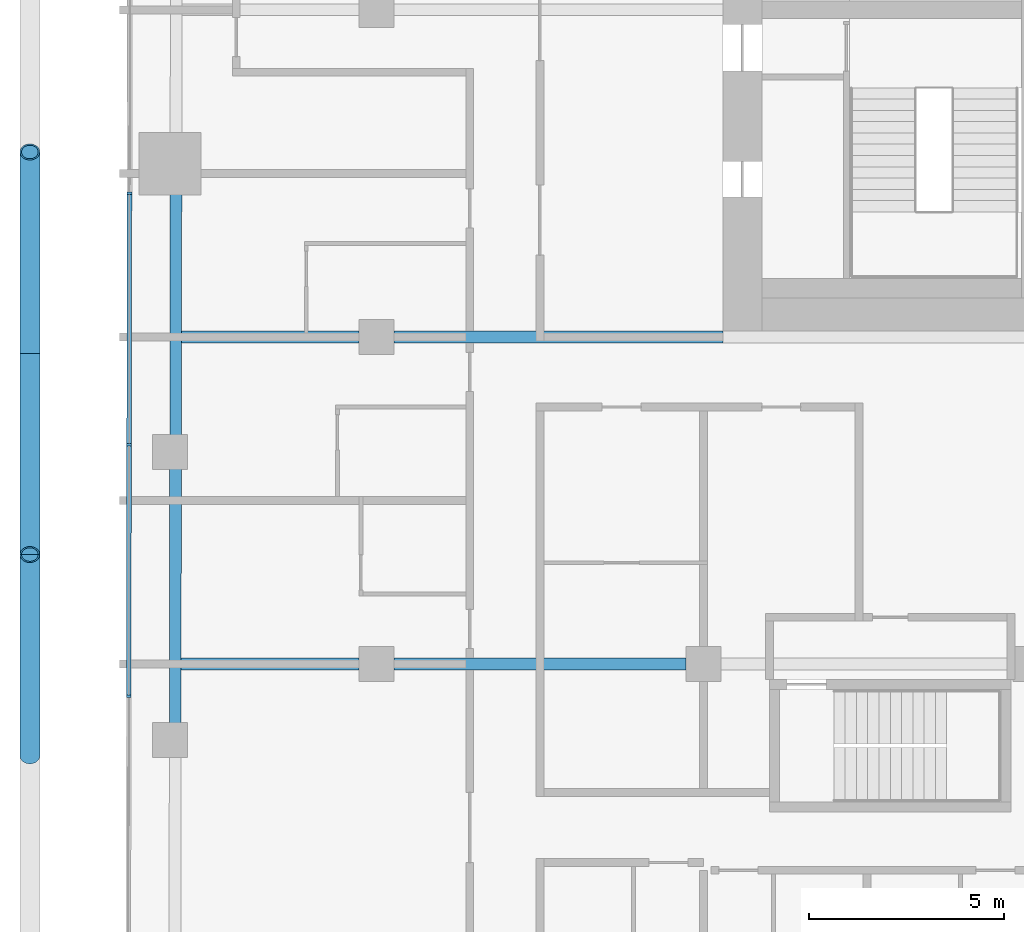
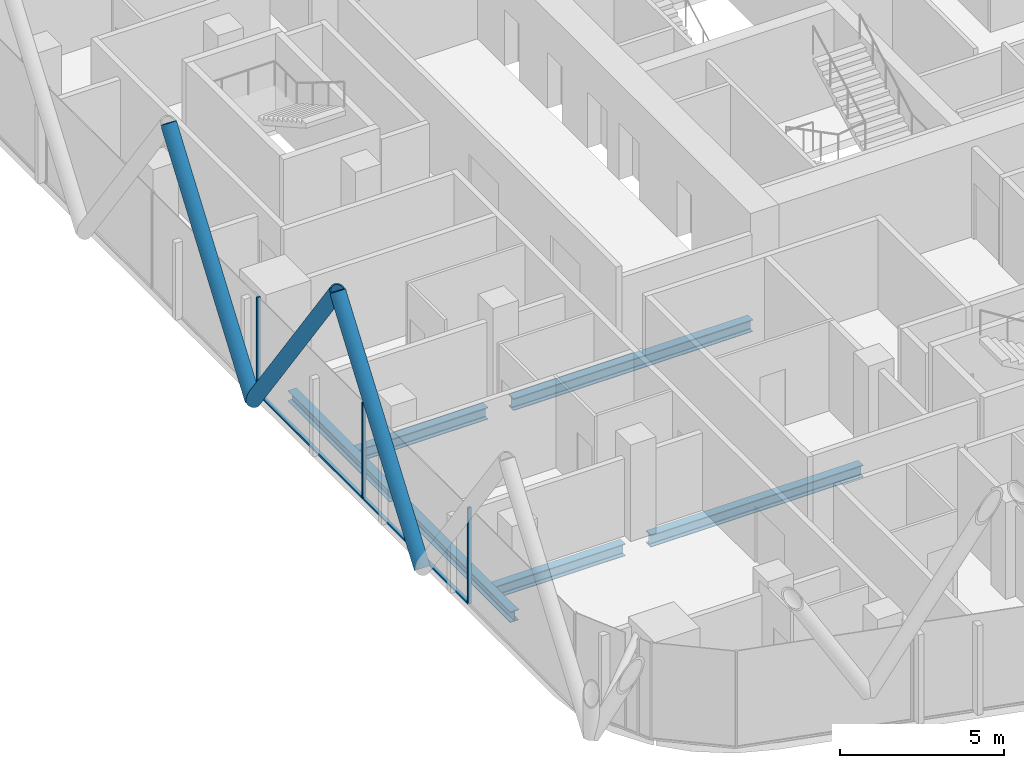
# One storey, part 4 of 33: 8 members, 6 beams, 1 element without a shape of its own.
"""IFC4 building model written with IfcOpenShell, lengths in metres."""

from ifc_helpers import new_model, si_unit, direction, frame, origin, origin_2d, place, context, subcontext, project, spatial, rectangle, hollow_circle, i_section, extrude, material, layer, layer_set, material_profile, profile_set, type_object, element, aggregate, save


model = new_model("IFC4")

# Units and contexts
model_context = context("Model", 3, precision=1e-05, world=origin(), true_north=direction((0.0, 1.0)))
body_context = subcontext(model_context, "Body", "Model", "MODEL_VIEW")
ifc_project = project(units=[si_unit("LENGTHUNIT", "METRE"), si_unit("AREAUNIT", "SQUARE_METRE"), si_unit("VOLUMEUNIT", "CUBIC_METRE"), si_unit("PLANEANGLEUNIT", "RADIAN"), si_unit("MASSUNIT", "GRAM", prefix="KILO")], contexts=[model_context])

# Site, building, storey
site_placement = place(None, origin())
site = spatial("IfcSite", under=ifc_project, at=site_placement, CompositionType="ELEMENT")
building_placement = place(site_placement, origin())
building = spatial("IfcBuilding", under=site, at=building_placement, Name="Marenta Gate Hotel Tower", CompositionType="ELEMENT")
storey_placement = place(building_placement, frame((0.0, 0.0, 122.89990234375)))
storey = spatial("IfcBuildingStorey", under=building, at=storey_placement, Name="L27", CompositionType="ELEMENT", Elevation=122.89990234375)

# Members
ifc_material_1 = material(Name="Steel S355J2W", Category="steel")
ifc_material_profile_1 = material_profile(ifc_material_1, hollow_circle(Radius=0.25390625, WallThickness=0.0400390625, at=origin_2d()), Name="CHS 508x40")
ifc_profile_set_1 = profile_set([ifc_material_profile_1], Name="Steel S355J2W")
member_type_1 = type_object("IfcMemberType", Name="Diagrid diagonal Z2 CHS 508x40", PredefinedType="BRACE", material=ifc_profile_set_1)
for number, where, z_axis, x_axis, name in (
    (1, (-29.89990234375, -10.760009765625, 3.14013671875), (0.0, 0.583260841117, 0.812284919975), (-1.0, 0.0, 0.0), "L27-DG-27"),
    (2, (-29.89990234375, -0.420166015625, 3.14013671875), (0.0, -0.583260841117, 0.812284919975), (1.0, 0.0, 0.0), "L27-DG-28"),
):
    element("IfcMember", number, at=place(storey_placement, frame(where, z_axis=z_axis, x_axis=x_axis)), inside=storey, type_object=member_type_1, Name=name, PredefinedType="BRACE", context=body_context, shape_type="SweptSolid", body=[
        extrude(hollow_circle(Radius=0.25390625, WallThickness=0.0400390625, at=origin_2d()), origin(), (0.0, 0.0, 1.0), 8.86376953125),
    ])
member_1_placement = place(storey_placement, frame((-29.89990234375, -0.420166015625, 3.14013671875), z_axis=(0.0, 0.583279014058, 0.812271870595), x_axis=(-1.0, 0.0, 0.0)))
element("IfcMember", 3, at=member_1_placement, inside=storey, type_object=member_type_1, Name="L27-DG-29", PredefinedType="BRACE", context=body_context, shape_type="SweptSolid", body=[
    extrude(hollow_circle(Radius=0.25390625, WallThickness=0.0400390625, at=origin_2d()), origin(), (0.0, 0.0, 1.0), 8.864013671875),
])

# Beams
ifc_material_2 = material(Name="Steel S355", Category="steel")
ifc_material_profile_2 = material_profile(ifc_material_2, i_section(OverallWidth=0.300048828125, OverallDepth=0.39990234375, WebThickness=0.013427734375, FlangeThickness=0.02392578125, FilletRadius=0.027099609375, at=origin_2d()), Name="HEB 400")
ifc_profile_set_2 = profile_set([ifc_material_profile_2], Name="Steel S355")
beam_type_1 = type_object("IfcBeamType", Name="Edge beam HEB 400", PredefinedType="SPANDREL", material=ifc_profile_set_2)
beam_1_placement = place(storey_placement, frame((-26.167236328125, -9.94189453125, -0.4599609375), z_axis=(0.001372605919, 0.999999057976, 0.0), x_axis=(-0.999999057976, 0.001372605919, 0.0)))
element("IfcBeam", 4, at=beam_1_placement, inside=storey, type_object=beam_type_1, Name="L27-EB-6", PredefinedType="SPANDREL", context=body_context, shape_type="SweptSolid", body=[
    extrude(i_section(OverallWidth=0.300048828125, OverallDepth=0.39990234375, WebThickness=0.013427734375, FlangeThickness=0.02392578125, FilletRadius=0.027099609375, at=origin_2d()), origin(), (0.0, 0.0, 1.0), 6.5810546875),
])
beam_2_placement = place(storey_placement, frame((-26.156982421875, -2.541015625, -0.4599609375), z_axis=(0.001371364591, 0.999999059679, 0.0), x_axis=(-0.999999059679, 0.001371364591, 0.0)))
element("IfcBeam", 5, at=beam_2_placement, inside=storey, type_object=beam_type_1, Name="L27-EB-7", PredefinedType="SPANDREL", context=body_context, shape_type="SweptSolid", body=[
    extrude(i_section(OverallWidth=0.300048828125, OverallDepth=0.39990234375, WebThickness=0.013427734375, FlangeThickness=0.02392578125, FilletRadius=0.027099609375, at=origin_2d()), origin(), (0.0, 0.0, 1.0), 6.23095703125),
])
ifc_material_3 = material(Name="Steel S355", Category="steel")
ifc_material_profile_3 = material_profile(ifc_material_3, i_section(OverallWidth=0.300048828125, OverallDepth=0.449951171875, WebThickness=0.013916015625, FlangeThickness=0.02587890625, FilletRadius=0.027099609375, at=origin_2d()), Name="HEB 450")
ifc_profile_set_3 = profile_set([ifc_material_profile_3], Name="Steel S355")
beam_type_2 = type_object("IfcBeamType", Name="Girder HEB 450", PredefinedType="BEAM", material=ifc_profile_set_3)
beam_3_placement = place(storey_placement, frame((-26.01513671875, -8.39990234375, -0.48486328125), z_axis=(1.0, 0.0, 0.0), x_axis=(0.0, 1.0, 0.0)))
element("IfcBeam", 6, at=beam_3_placement, inside=storey, type_object=beam_type_2, Name="L27-GD-8", PredefinedType="BEAM", context=body_context, shape_type="SweptSolid", body=[
    extrude(i_section(OverallWidth=0.300048828125, OverallDepth=0.449951171875, WebThickness=0.013916015625, FlangeThickness=0.02587890625, FilletRadius=0.027099609375, at=origin_2d()), origin(), (0.0, 0.0, 1.0), 4.565185546875),
])
beam_4_placement = place(storey_placement, frame((-20.550048828125, -8.39990234375, -0.48486328125), z_axis=(1.0, 0.0, 0.0), x_axis=(0.0, 1.0, 0.0)))
element("IfcBeam", 7, at=beam_4_placement, inside=storey, type_object=beam_type_2, Name="L27-GD-9", PredefinedType="BEAM", context=body_context, shape_type="SweptSolid", body=[
    extrude(i_section(OverallWidth=0.300048828125, OverallDepth=0.449951171875, WebThickness=0.013916015625, FlangeThickness=0.02587890625, FilletRadius=0.027099609375, at=origin_2d()), origin(), (0.0, 0.0, 1.0), 7.5),
])
beam_5_placement = place(storey_placement, frame((-26.003662109375, 0.0, -0.48486328125), z_axis=(1.0, 0.0, 0.0), x_axis=(0.0, 1.0, 0.0)))
element("IfcBeam", 8, at=beam_5_placement, inside=storey, type_object=beam_type_2, Name="L27-GD-15", PredefinedType="BEAM", context=body_context, shape_type="SweptSolid", body=[
    extrude(i_section(OverallWidth=0.300048828125, OverallDepth=0.449951171875, WebThickness=0.013916015625, FlangeThickness=0.02587890625, FilletRadius=0.027099609375, at=origin_2d()), origin(), (0.0, 0.0, 1.0), 4.5537109375),
])
beam_6_placement = place(storey_placement, frame((-20.550048828125, 0.0, -0.48486328125), z_axis=(1.0, 0.0, 0.0), x_axis=(0.0, 1.0, 0.0)))
element("IfcBeam", 9, at=beam_6_placement, inside=storey, type_object=beam_type_2, Name="L27-GD-16", PredefinedType="BEAM", context=body_context, shape_type="SweptSolid", body=[
    extrude(i_section(OverallWidth=0.300048828125, OverallDepth=0.449951171875, WebThickness=0.013916015625, FlangeThickness=0.02587890625, FilletRadius=0.027099609375, at=origin_2d()), origin(), (0.0, 0.0, 1.0), 8.449951171875),
])

# Curtain wall, members
ifc_material_4 = material(Name="Tinted insulated glass in bronze anodised frame", Category="glass")
ifc_layer = layer(ifc_material_4, 0.1201171875)
ifc_layer_set = layer_set([ifc_layer], Name="Tinted insulated glass in bronze anodised frame")
curtain_wall_type = type_object("IfcCurtainWallType", Name="Tower unitised curtain wall CW1", PredefinedType="NOTDEFINED", material=ifc_layer_set)
curtain_wall_placement = place(storey_placement, origin())
curtain_wall = element("IfcCurtainWall", 10, at=curtain_wall_placement, inside=storey, type_object=curtain_wall_type, Name="CW1 run G04", PredefinedType="NOTDEFINED")
ifc_material_5 = material(Name="Bronze anodised aluminium", Category="aluminium")
ifc_material_profile_4 = material_profile(ifc_material_5, rectangle(XDim=0.1201171875, YDim=0.06005859375, at=origin_2d()), Name="Mullion CW1 60x120 bronze anodised aluminium")
ifc_profile_set_4 = profile_set([ifc_material_profile_4], Name="Bronze anodised aluminium")
member_type_2 = type_object("IfcMemberType", Name="Mullion CW1 60x120 bronze anodised aluminium", PredefinedType="MULLION", material=ifc_profile_set_4)
member_2_placement = place(storey_placement, frame((-27.342529296875, 3.686279296875, 0.0), z_axis=(0.0, 0.0, 1.0), x_axis=(0.99999877375, -0.001566045546, 0.0)))
member_2 = element("IfcMember", 11, at=member_2_placement, type_object=member_type_2, Name="CW1 mullion 4", PredefinedType="MULLION", context=body_context, shape_type="SweptSolid", body=[
    extrude(rectangle(XDim=0.1201171875, YDim=0.06005859375, at=origin_2d()), origin(), (0.0, 0.0, 1.0), 3.60009765625),
])
member_3_placement = place(storey_placement, frame((-27.352783203125, -2.773681640625, 0.0), z_axis=(0.0, 0.0, 1.0), x_axis=(0.99999877375, -0.001566045546, 0.0)))
member_3 = element("IfcMember", 12, at=member_3_placement, type_object=member_type_2, Name="CW1 mullion 5", PredefinedType="MULLION", context=body_context, shape_type="SweptSolid", body=[
    extrude(rectangle(XDim=0.1201171875, YDim=0.06005859375, at=origin_2d()), origin(), (0.0, 0.0, 1.0), 3.60009765625),
])
member_4_placement = place(storey_placement, frame((-27.36279296875, -9.23388671875, 0.0), z_axis=(0.0, 0.0, 1.0), x_axis=(0.99999877375, -0.001566045546, 0.0)))
member_4 = element("IfcMember", 13, at=member_4_placement, type_object=member_type_2, Name="CW1 mullion 6", PredefinedType="MULLION", context=body_context, shape_type="SweptSolid", body=[
    extrude(rectangle(XDim=0.1201171875, YDim=0.06005859375, at=origin_2d()), origin(), (0.0, 0.0, 1.0), 3.60009765625),
])
ifc_material_6 = material(Name="Bronze anodised aluminium", Category="aluminium")
ifc_material_profile_5 = material_profile(ifc_material_6, rectangle(XDim=0.1201171875, YDim=0.06005859375, at=origin_2d()), Name="Transom CW1 60x120 bronze anodised aluminium")
ifc_profile_set_5 = profile_set([ifc_material_profile_5], Name="Bronze anodised aluminium")
member_type_3 = type_object("IfcMemberType", Name="Transom CW1 60x120 bronze anodised aluminium", PredefinedType="USERDEFINED", material=ifc_profile_set_5)
member_5_placement = place(storey_placement, frame((-27.3427734375, 3.65625, 0.030029296875), z_axis=(-0.001563988169, -0.99999877697, 0.0), x_axis=(0.99999877697, -0.001563988169, 0.0)))
member_5 = element("IfcMember", 14, at=member_5_placement, type_object=member_type_3, Name="CW1 transom 4.1", ObjectType="TRANSOM", PredefinedType="USERDEFINED", context=body_context, shape_type="SweptSolid", body=[
    extrude(rectangle(XDim=0.1201171875, YDim=0.06005859375, at=origin_2d()), origin(), (0.0, 0.0, 1.0), 6.400146484375),
])
member_6_placement = place(storey_placement, frame((-27.352783203125, -2.8037109375, 0.030029296875), z_axis=(-0.001563988169, -0.99999877697, 0.0), x_axis=(0.99999877697, -0.001563988169, 0.0)))
member_6 = element("IfcMember", 15, at=member_6_placement, type_object=member_type_3, Name="CW1 transom 5.1", ObjectType="TRANSOM", PredefinedType="USERDEFINED", context=body_context, shape_type="SweptSolid", body=[
    extrude(rectangle(XDim=0.1201171875, YDim=0.06005859375, at=origin_2d()), origin(), (0.0, 0.0, 1.0), 6.400146484375),
])
aggregate(curtain_wall, [member_2, member_3, member_4, member_5, member_6])

save(model, "model.ifc")
